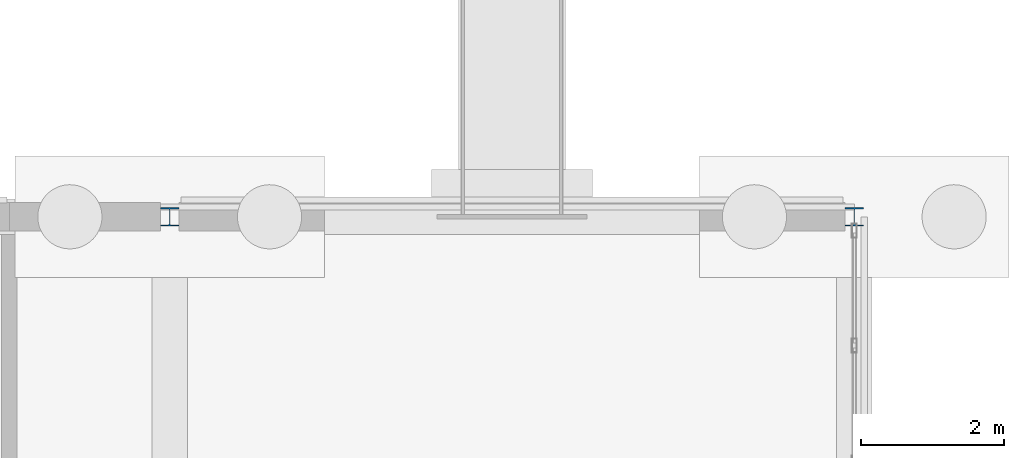
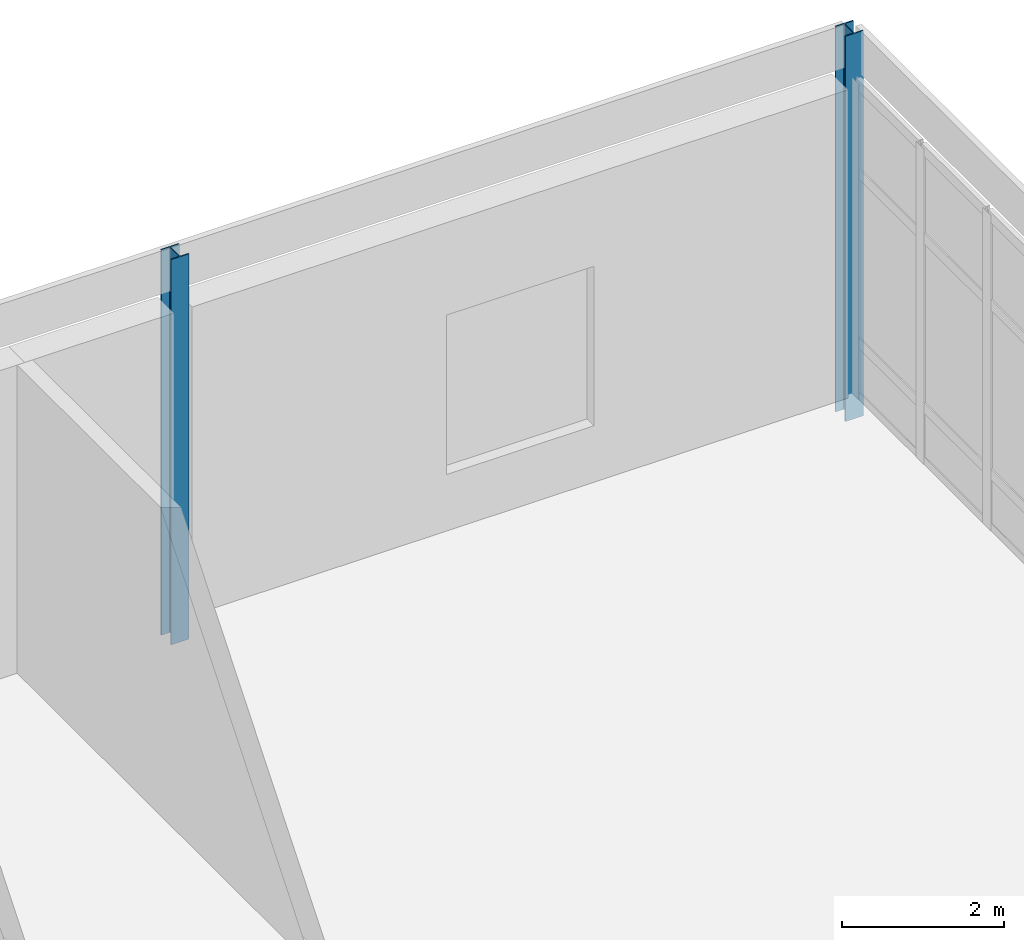
# One storey, part 26 of 137: 2 columns.
"""IFC4 building model written with IfcOpenShell, lengths in metres."""

from ifc_helpers import new_model, si_unit, direction, frame, origin, origin_2d, place, context, subcontext, project, spatial, i_section, extrude, material, material_profile, profile_set, type_object, element, save


model = new_model("IFC4")

# Units and contexts
model_context = context("Model", 3, precision=1e-05, world=origin(), true_north=direction((0.0, 1.0)))
body_context = subcontext(model_context, "Body", "Model", "MODEL_VIEW")
ifc_project = project(units=[si_unit("LENGTHUNIT", "METRE"), si_unit("AREAUNIT", "SQUARE_METRE"), si_unit("VOLUMEUNIT", "CUBIC_METRE"), si_unit("PLANEANGLEUNIT", "RADIAN"), si_unit("MASSUNIT", "GRAM", prefix="KILO")], contexts=[model_context])

# Site, building, storey
site_placement = place(None, origin())
site = spatial("IfcSite", under=ifc_project, at=site_placement, CompositionType="ELEMENT")
building_placement = place(site_placement, origin())
building = spatial("IfcBuilding", under=site, at=building_placement, Name="Vondelvale Polytechnic", CompositionType="ELEMENT")
storey_placement = place(building_placement, origin())
storey = spatial("IfcBuildingStorey", under=building, at=storey_placement, Name="L00", CompositionType="ELEMENT", Elevation=0.0)

# Columns
ifc_material = material(Name="Steel 300PLUS (fy = 300 MPa)", Category="steel")
ifc_material_profile = material_profile(ifc_material, i_section(OverallWidth=0.256103515625, OverallDepth=0.260009765625, WebThickness=0.010498046875, FlangeThickness=0.017333984375, FilletRadius=0.013916015625, at=origin_2d()), Name="250UC89.5")
ifc_profile_set = profile_set([ifc_material_profile], Name="Steel 300PLUS (fy = 300 MPa)")
column_type = type_object("IfcColumnType", Name="COL-UC250", PredefinedType="COLUMN", material=ifc_profile_set)
for number, where, z_axis, x_axis, name in (
    (1, (163.199951171875, 91.800048828125, -0.39990234375), (0.0, 0.0, 1.0), (1.0, 0.0, 0.0), "L00 East pavilion column (163.2,91.8)"),
    (2, (172.800048828125, 91.800048828125, -0.39990234375), (0.0, 0.0, 1.0), (1.0, 0.0, 0.0), "L00 East pavilion column (172.8,91.8)"),
):
    element("IfcColumn", number, at=place(storey_placement, frame(where, z_axis=z_axis, x_axis=x_axis)), inside=storey, type_object=column_type, Name=name, PredefinedType="COLUMN", context=body_context, shape_type="SweptSolid", body=[
        extrude(i_section(OverallWidth=0.256103515625, OverallDepth=0.260009765625, WebThickness=0.010498046875, FlangeThickness=0.017333984375, FilletRadius=0.013916015625, at=origin_2d()), origin(), (0.0, 0.0, 1.0), 5.7998046875),
    ])

save(model, "model.ifc")
